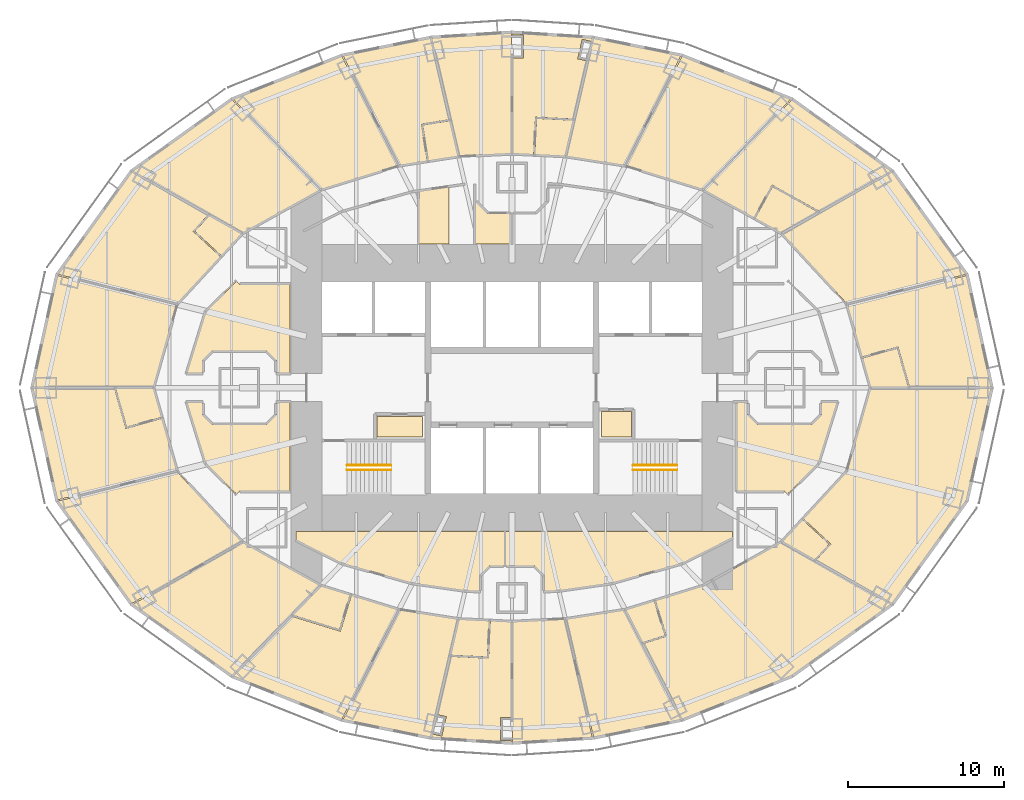
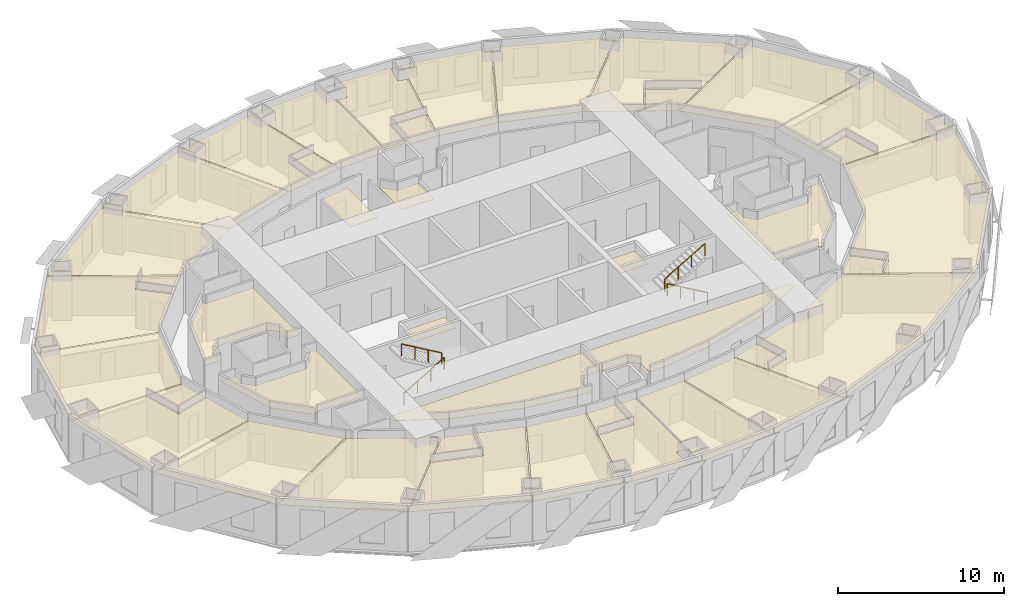
# One storey, part 15 of 15: 41 coverings, 4 railings.
"""IFC4 building model written with IfcOpenShell, lengths in metres."""

from ifc_helpers import new_model, si_unit, direction, frame, origin, origin_2d, place, context, subcontext, project, spatial, polyline, circle, outline, extrude, material, layer, layer_set, type_object, element, save


model = new_model("IFC4")

# Units and contexts
model_context = context("Model", 3, precision=1e-05, world=origin(), true_north=direction((0.0, 1.0)))
body_context = subcontext(model_context, "Body", "Model", "MODEL_VIEW")
ifc_project = project(units=[si_unit("LENGTHUNIT", "METRE"), si_unit("AREAUNIT", "SQUARE_METRE"), si_unit("VOLUMEUNIT", "CUBIC_METRE"), si_unit("PLANEANGLEUNIT", "RADIAN"), si_unit("MASSUNIT", "GRAM", prefix="KILO")], contexts=[model_context])

# Site, building, storey
site_placement = place(None, origin())
site = spatial("IfcSite", under=ifc_project, at=site_placement, CompositionType="ELEMENT")
building_placement = place(site_placement, origin())
building = spatial("IfcBuilding", under=site, at=building_placement, Name="Lantaw Convention Tower", CompositionType="ELEMENT")
storey_placement = place(building_placement, frame((0.0, 0.0, 98.199951171875)))
storey = spatial("IfcBuildingStorey", under=building, at=storey_placement, Name="L23", CompositionType="ELEMENT", Elevation=98.199951171875)

# Railings
ifc_material_1 = material(Name="Stainless steel", Category="steel")
railing_type = type_object("IfcRailingType", Name="Stair handrail", PredefinedType="HANDRAIL", material=ifc_material_1)
railing_1_placement = place(storey_placement, frame((-10.580078125, -5.280029296875, 0.16357421875)))
element("IfcRailing", 1, at=railing_1_placement, inside=storey, type_object=railing_type, Name="Stair handrail S1", PredefinedType="HANDRAIL", context=body_context, shape_type="SweptSolid", body=[
    extrude(circle(Radius=0.02392578125, at=origin_2d()), frame((0.0, 0.0, 0.8759765625), z_axis=(0.863360870873, 0.0, 0.504586966384), x_axis=(0.0, 1.0, 0.0)), (0.0, 0.0, 1.0), 3.2431640625),
    extrude(circle(Radius=0.02099609375, at=origin_2d()), origin(), (0.0, 0.0, 1.0), 0.851806640625),
    extrude(circle(Radius=0.02099609375, at=origin_2d()), frame((0.933349609375, 0.0, 0.54541015625)), (0.0, 0.0, 1.0), 0.851806640625),
    extrude(circle(Radius=0.02099609375, at=origin_2d()), frame((1.86669921875, 0.0, 1.091064453125)), (0.0, 0.0, 1.0), 0.851806640625),
    extrude(circle(Radius=0.02099609375, at=origin_2d()), frame((2.800048828125, 0.0, 1.636474609375)), (0.0, 0.0, 1.0), 0.851806640625),
])
for number, where, name in (
    (2, (-7.780029296875, -4.97998046875, 1.963623046875), "Stair handrail S1"),
    (3, (10.580078125, -5.280029296875, 0.16357421875), "Stair handrail S2"),
):
    element("IfcRailing", number, at=place(storey_placement, frame(where)), inside=storey, type_object=railing_type, Name=name, PredefinedType="HANDRAIL", context=body_context, shape_type="SweptSolid", body=[
        extrude(circle(Radius=0.02392578125, at=origin_2d()), frame((0.0, 0.0, 0.8759765625), z_axis=(-0.863360870873, 0.0, 0.504586966384), x_axis=(0.0, -1.0, 0.0)), (0.0, 0.0, 1.0), 3.2431640625),
        extrude(circle(Radius=0.02099609375, at=origin_2d()), origin(), (0.0, 0.0, 1.0), 0.851806640625),
        extrude(circle(Radius=0.02099609375, at=origin_2d()), frame((-0.933349609375, 0.0, 0.54541015625)), (0.0, 0.0, 1.0), 0.851806640625),
        extrude(circle(Radius=0.02099609375, at=origin_2d()), frame((-1.86669921875, 0.0, 1.091064453125)), (0.0, 0.0, 1.0), 0.851806640625),
        extrude(circle(Radius=0.02099609375, at=origin_2d()), frame((-2.800048828125, 0.0, 1.636474609375)), (0.0, 0.0, 1.0), 0.851806640625),
    ])
railing_2_placement = place(storey_placement, frame((7.780029296875, -4.97998046875, 1.963623046875)))
element("IfcRailing", 4, at=railing_2_placement, inside=storey, type_object=railing_type, Name="Stair handrail S2", PredefinedType="HANDRAIL", context=body_context, shape_type="SweptSolid", body=[
    extrude(circle(Radius=0.02392578125, at=origin_2d()), frame((0.0, 0.0, 0.8759765625), z_axis=(0.863360870873, 0.0, 0.504586966384), x_axis=(0.0, 1.0, 0.0)), (0.0, 0.0, 1.0), 3.2431640625),
    extrude(circle(Radius=0.02099609375, at=origin_2d()), origin(), (0.0, 0.0, 1.0), 0.851806640625),
    extrude(circle(Radius=0.02099609375, at=origin_2d()), frame((0.933349609375, 0.0, 0.54541015625)), (0.0, 0.0, 1.0), 0.851806640625),
    extrude(circle(Radius=0.02099609375, at=origin_2d()), frame((1.86669921875, 0.0, 1.091064453125)), (0.0, 0.0, 1.0), 0.851806640625),
    extrude(circle(Radius=0.02099609375, at=origin_2d()), frame((2.800048828125, 0.0, 1.636474609375)), (0.0, 0.0, 1.0), 0.851806640625),
])

# Coverings
ifc_material_2 = material(Name="Gypsum board on steel suspension grid", Category="steel")
ifc_layer = layer(ifc_material_2, 0.02001953125)
ifc_layer_set = layer_set([ifc_layer], Name="Suspended ceiling")
covering_type = type_object("IfcCoveringType", Name="Suspended ceiling", PredefinedType="CEILING", material=ifc_layer_set)
covering_1_placement = place(storey_placement, frame((0.0, 0.0, 2.85009765625)))
element("IfcCovering", 5, at=covering_1_placement, inside=storey, type_object=covering_type, Name="IT and comms room ceiling", PredefinedType="CEILING", context=body_context, shape_type="SweptSolid", body=[
    extrude(outline(polyline([(-8.659912109375, -3.159912109375), (-5.739990234375, -3.159912109375), (-5.739990234375, -1.840087890625), (-8.659912109375, -1.840087890625), (-8.659912109375, -3.159912109375)])), origin(), (0.0, 0.0, 1.0), 0.02001953125),
])
covering_2_placement = place(storey_placement, frame((0.0, 0.0, 2.85009765625)))
element("IfcCovering", 6, at=covering_2_placement, inside=storey, type_object=covering_type, Name="Staff WC ceiling", PredefinedType="CEILING", context=body_context, shape_type="SweptSolid", body=[
    extrude(outline(polyline([(5.739990234375, -3.159912109375), (7.659912109375, -3.159912109375), (7.659912109375, -1.5400390625), (5.739990234375, -1.5400390625), (5.739990234375, -3.159912109375)])), origin(), (0.0, 0.0, 1.0), 0.02001953125),
])
covering_3_placement = place(storey_placement, frame((0.0, 0.0, 2.85009765625)))
element("IfcCovering", 7, at=covering_3_placement, inside=storey, type_object=covering_type, Name="Accessible WC ceiling", PredefinedType="CEILING", context=body_context, shape_type="SweptSolid", body=[
    extrude(outline(polyline([(-2.360107421875, 9.239990234375), (-0.114990234375, 9.239990234375), (-0.114990234375, 11.175048828125), (-1.548828125, 11.175048828125), (-2.324951171875, 11.951171875), (-2.324951171875, 11.963134765625), (-2.360107421875, 11.998046875), (-2.360107421875, 9.239990234375)])), origin(), (0.0, 0.0, 1.0), 0.02001953125),
])
covering_4_placement = place(storey_placement, frame((0.0, 0.0, 2.85009765625)))
element("IfcCovering", 8, at=covering_4_placement, inside=storey, type_object=covering_type, Name="Housekeeping pantry ceiling", PredefinedType="CEILING", context=body_context, shape_type="SweptSolid", body=[
    extrude(outline(polyline([(-4.0400390625, 12.87939453125), (-5.9599609375, 12.60595703125), (-5.9599609375, 9.239990234375), (-4.0400390625, 9.239990234375), (-4.0400390625, 12.87939453125)])), origin(), (0.0, 0.0, 1.0), 0.02001953125),
])
covering_5_placement = place(storey_placement, frame((0.0, 0.0, 2.85009765625)))
element("IfcCovering", 9, at=covering_5_placement, inside=storey, type_object=covering_type, Name="Housekeeping room ceiling", PredefinedType="CEILING", context=body_context, shape_type="SweptSolid", body=[
    extrude(outline(polyline([(-20.8671875, 0.93994140625), (-19.864990234375, 0.93994140625), (-19.864990234375, 1.7412109375), (-19.2412109375, 2.364990234375), (-15.7587890625, 2.364990234375), (-15.135009765625, 1.7412109375), (-15.135009765625, 0.93994140625), (-14.239990234375, 0.93994140625), (-14.239990234375, 6.635009765625), (-17.4912109375, 6.635009765625), (-17.68310546875, 6.8271484375), (-19.6455078125, 4.885498046875), (-20.8671875, 0.93994140625)])), origin(), (0.0, 0.0, 1.0), 0.02001953125),
])
covering_6_placement = place(storey_placement, frame((0.0, 0.0, 2.85009765625)))
element("IfcCovering", 10, at=covering_6_placement, inside=storey, type_object=covering_type, Name="Staff locker room ceiling", PredefinedType="CEILING", context=body_context, shape_type="SweptSolid", body=[
    extrude(outline(polyline([(-10.90966796875, -11.275146484375), (-6.402587890625, -12.542724609375), (-3.0126953125, -13.02587890625), (-2.06494140625, -13.068115234375), (-2.06494140625, -12.058837890625), (-1.441162109375, -11.43505859375), (-0.489990234375, -11.43505859375), (-0.489990234375, -9.239990234375), (-13.860107421875, -9.239990234375), (-13.860107421875, -9.77490234375), (-10.90966796875, -11.275146484375)])), origin(), (0.0, 0.0, 1.0), 0.02001953125),
])
covering_7_placement = place(storey_placement, frame((0.0, 0.0, 2.85009765625)))
element("IfcCovering", 11, at=covering_7_placement, inside=storey, type_object=covering_type, Name="Staff room ceiling", PredefinedType="CEILING", context=body_context, shape_type="SweptSolid", body=[
    extrude(outline(polyline([(-20.8671875, -0.93994140625), (-19.6455078125, -4.885498046875), (-17.68310546875, -6.8271484375), (-17.4912109375, -6.635009765625), (-14.239990234375, -6.635009765625), (-14.239990234375, -0.93994140625), (-15.135009765625, -0.93994140625), (-15.135009765625, -1.7412109375), (-15.7587890625, -2.364990234375), (-19.2412109375, -2.364990234375), (-19.864990234375, -1.7412109375), (-19.864990234375, -0.93994140625), (-20.8671875, -0.93994140625)])), origin(), (0.0, 0.0, 1.0), 0.02001953125),
])
covering_8_placement = place(storey_placement, frame((0.0, 0.0, 2.85009765625)))
element("IfcCovering", 12, at=covering_8_placement, inside=storey, type_object=covering_type, Name="Guest ice and vending room ceiling", PredefinedType="CEILING", context=body_context, shape_type="SweptSolid", body=[
    extrude(outline(polyline([(2.06494140625, -13.068115234375), (3.0126953125, -13.02587890625), (6.402587890625, -12.542724609375), (10.90966796875, -11.275146484375), (14.159912109375, -9.622314453125), (14.159912109375, -9.239990234375), (-0.409912109375, -9.239990234375), (-0.409912109375, -11.43505859375), (1.441162109375, -11.43505859375), (2.06494140625, -12.058837890625), (2.06494140625, -13.068115234375)])), origin(), (0.0, 0.0, 1.0), 0.02001953125),
])
covering_9_placement = place(storey_placement, frame((0.0, 0.0, 2.85009765625)))
element("IfcCovering", 13, at=covering_9_placement, inside=storey, type_object=covering_type, Name="Room service pantry ceiling", PredefinedType="CEILING", context=body_context, shape_type="SweptSolid", body=[
    extrude(outline(polyline([(19.6455078125, -4.885498046875), (20.8671875, -0.93994140625), (19.864990234375, -0.93994140625), (19.864990234375, -1.7412109375), (19.2412109375, -2.364990234375), (15.7587890625, -2.364990234375), (15.135009765625, -1.7412109375), (15.135009765625, -0.93994140625), (14.43994140625, -0.93994140625), (14.43994140625, -6.635009765625), (17.4912109375, -6.635009765625), (17.68310546875, -6.8271484375), (19.6455078125, -4.885498046875)])), origin(), (0.0, 0.0, 1.0), 0.02001953125),
])
covering_10_placement = place(storey_placement, frame((0.0, 0.0, 2.85009765625)))
element("IfcCovering", 14, at=covering_10_placement, inside=storey, type_object=covering_type, Name="Suite bathroom ceiling", PredefinedType="CEILING", context=body_context, shape_type="SweptSolid", body=[
    extrude(outline(polyline([(23.0302734375, 0.0400390625), (25.44140625, 0.0400390625), (24.73681640625, 2.52880859375), (22.504638671875, 1.896728515625), (23.0302734375, 0.0400390625)])), origin(), (0.0, 0.0, 1.0), 0.02001953125),
])
covering_11_placement = place(storey_placement, frame((0.0, 0.0, 2.85009765625)))
element("IfcCovering", 15, at=covering_11_placement, inside=storey, type_object=covering_type, Name="Suite bedroom ceiling", PredefinedType="CEILING", context=body_context, shape_type="SweptSolid", body=[
    extrude(outline(polyline([(21.533447265625, 5.327392578125), (22.48291015625, 1.9736328125), (24.7919921875, 2.62744140625), (25.524658203125, 0.0400390625), (30.77099609375, 0.0400390625), (29.191650390625, 7.205078125), (21.533447265625, 5.327392578125)])), origin(), (0.0, 0.0, 1.0), 0.02001953125),
])
covering_12_placement = place(storey_placement, frame((0.0, 0.0, 2.85009765625)))
element("IfcCovering", 16, at=covering_12_placement, inside=storey, type_object=covering_type, Name="Suite living room ceiling", PredefinedType="CEILING", context=body_context, shape_type="SweptSolid", body=[
    extrude(outline(polyline([(21.496826171875, 5.40087890625), (29.155029296875, 7.2783203125), (24.423095703125, 13.8564453125), (17.36279296875, 9.875244140625), (21.496826171875, 5.40087890625)])), origin(), (0.0, 0.0, 1.0), 0.02001953125),
])
covering_13_placement = place(storey_placement, frame((0.0, 0.0, 2.85009765625)))
element("IfcCovering", 17, at=covering_13_placement, inside=storey, type_object=covering_type, Name="Suite bathroom ceiling", PredefinedType="CEILING", context=body_context, shape_type="SweptSolid", body=[
    extrude(outline(polyline([(17.298828125, 9.93115234375), (19.65234375, 11.276123046875), (16.734619140625, 12.900634765625), (15.60595703125, 10.87353515625), (17.298828125, 9.93115234375)])), origin(), (0.0, 0.0, 1.0), 0.02001953125),
])
covering_14_placement = place(storey_placement, frame((0.0, 0.0, 2.85009765625)))
element("IfcCovering", 18, at=covering_14_placement, inside=storey, type_object=covering_type, Name="Suite bedroom ceiling", PredefinedType="CEILING", context=body_context, shape_type="SweptSolid", body=[
    extrude(outline(polyline([(12.322265625, 12.701904296875), (15.5361328125, 10.91259765625), (16.70361328125, 13.00927734375), (19.75, 11.313232421875), (24.3603515625, 13.912841796875), (17.97509765625, 18.4892578125), (12.322265625, 12.701904296875)])), origin(), (0.0, 0.0, 1.0), 0.02001953125),
])
covering_15_placement = place(storey_placement, frame((0.0, 0.0, 2.85009765625)))
element("IfcCovering", 19, at=covering_15_placement, inside=storey, type_object=covering_type, Name="Suite living room ceiling", PredefinedType="CEILING", context=body_context, shape_type="SweptSolid", body=[
    extrude(outline(polyline([(12.24560546875, 12.738037109375), (17.89990234375, 18.526611328125), (10.930908203125, 21.294921875), (7.310302734375, 14.2587890625), (12.24560546875, 12.738037109375)])), origin(), (0.0, 0.0, 1.0), 0.02001953125),
])
covering_16_placement = place(storey_placement, frame((0.0, 0.0, 2.85009765625)))
element("IfcCovering", 20, at=covering_16_placement, inside=storey, type_object=covering_type, Name="Suite kitchenette and dining room ceiling", PredefinedType="CEILING", context=body_context, shape_type="SweptSolid", body=[
    extrude(outline(polyline([(7.23046875, 14.278564453125), (10.85205078125, 21.31689453125), (5.240966796875, 22.448974609375), (3.47314453125, 14.86572265625), (7.23046875, 14.278564453125)])), origin(), (0.0, 0.0, 1.0), 0.02001953125),
])
covering_17_placement = place(storey_placement, frame((0.0, 0.0, 2.85009765625)))
element("IfcCovering", 21, at=covering_17_placement, inside=storey, type_object=covering_type, Name="Suite bathroom ceiling", PredefinedType="CEILING", context=body_context, shape_type="SweptSolid", body=[
    extrude(outline(polyline([(3.39306640625, 14.87451171875), (3.92333984375, 17.17138671875), (1.581787109375, 17.28564453125), (1.46875, 14.96826171875), (3.39306640625, 14.87451171875)])), origin(), (0.0, 0.0, 1.0), 0.02001953125),
])
covering_18_placement = place(storey_placement, frame((0.0, 0.0, 2.85009765625)))
element("IfcCovering", 22, at=covering_18_placement, inside=storey, type_object=covering_type, Name="Suite bedroom ceiling", PredefinedType="CEILING", context=body_context, shape_type="SweptSolid", body=[
    extrude(outline(polyline([(0.0400390625, 21.159912109375), (0.0400390625, 15.0380859375), (1.388916015625, 14.97216796875), (1.505859375, 17.369384765625), (3.94677734375, 17.250244140625), (4.81640625, 20.98046875), (4.21875, 21.118408203125), (4.506591796875, 22.365478515625), (5.10693359375, 22.22705078125), (5.1611328125, 22.458984375), (0.0400390625, 22.781982421875), (0.0400390625, 22.639892578125), (0.739990234375, 22.639892578125), (0.739990234375, 21.159912109375), (0.0400390625, 21.159912109375)])), origin(), (0.0, 0.0, 1.0), 0.02001953125),
])
covering_19_placement = place(storey_placement, frame((0.0, 0.0, 2.85009765625)))
element("IfcCovering", 23, at=covering_19_placement, inside=storey, type_object=covering_type, Name="Suite living room ceiling", PredefinedType="CEILING", context=body_context, shape_type="SweptSolid", body=[
    extrude(outline(polyline([(-0.0400390625, 15.0380859375), (-0.0400390625, 22.781982421875), (-5.1611328125, 22.458984375), (-3.39306640625, 14.87451171875), (-0.0400390625, 15.0380859375)])), origin(), (0.0, 0.0, 1.0), 0.02001953125),
])
covering_20_placement = place(storey_placement, frame((0.0, 0.0, 2.85009765625)))
element("IfcCovering", 24, at=covering_20_placement, inside=storey, type_object=covering_type, Name="Suite bathroom ceiling", PredefinedType="CEILING", context=body_context, shape_type="SweptSolid", body=[
    extrude(outline(polyline([(-3.47314453125, 14.86572265625), (-3.996337890625, 17.132080078125), (-5.725341796875, 16.862060546875), (-5.3671875, 14.56982421875), (-3.47314453125, 14.86572265625)])), origin(), (0.0, 0.0, 1.0), 0.02001953125),
])
covering_21_placement = place(storey_placement, frame((0.0, 0.0, 2.85009765625)))
element("IfcCovering", 25, at=covering_21_placement, inside=storey, type_object=covering_type, Name="Suite bedroom ceiling", PredefinedType="CEILING", context=body_context, shape_type="SweptSolid", body=[
    extrude(outline(polyline([(-7.23046875, 14.278564453125), (-5.446044921875, 14.557373046875), (-5.816650390625, 16.9287109375), (-4.01953125, 17.20947265625), (-5.240966796875, 22.448974609375), (-10.85205078125, 21.31689453125), (-7.23046875, 14.278564453125)])), origin(), (0.0, 0.0, 1.0), 0.02001953125),
])
covering_22_placement = place(storey_placement, frame((0.0, 0.0, 2.85009765625)))
element("IfcCovering", 26, at=covering_22_placement, inside=storey, type_object=covering_type, Name="Suite living room ceiling", PredefinedType="CEILING", context=body_context, shape_type="SweptSolid", body=[
    extrude(outline(polyline([(-7.310302734375, 14.2587890625), (-10.930908203125, 21.294921875), (-17.89990234375, 18.526611328125), (-12.24560546875, 12.738037109375), (-7.310302734375, 14.2587890625)])), origin(), (0.0, 0.0, 1.0), 0.02001953125),
])
covering_23_placement = place(storey_placement, frame((0.0, 0.0, 2.85009765625)))
element("IfcCovering", 27, at=covering_23_placement, inside=storey, type_object=covering_type, Name="Suite kitchenette and dining room ceiling", PredefinedType="CEILING", context=body_context, shape_type="SweptSolid", body=[
    extrude(outline(polyline([(-12.322265625, 12.701904296875), (-17.97509765625, 18.4892578125), (-24.3603515625, 13.912841796875), (-17.298828125, 9.930908203125), (-12.322265625, 12.701904296875)])), origin(), (0.0, 0.0, 1.0), 0.02001953125),
])
covering_24_placement = place(storey_placement, frame((0.0, 0.0, 2.85009765625)))
element("IfcCovering", 28, at=covering_24_placement, inside=storey, type_object=covering_type, Name="Suite bathroom ceiling", PredefinedType="CEILING", context=body_context, shape_type="SweptSolid", body=[
    extrude(outline(polyline([(-17.362548828125, 9.87548828125), (-19.4296875, 11.056640625), (-20.362548828125, 10.047119140625), (-18.658447265625, 8.47265625), (-17.362548828125, 9.87548828125)])), origin(), (0.0, 0.0, 1.0), 0.02001953125),
])
covering_25_placement = place(storey_placement, frame((0.0, 0.0, 2.85009765625)))
element("IfcCovering", 29, at=covering_25_placement, inside=storey, type_object=covering_type, Name="Suite bedroom ceiling", PredefinedType="CEILING", context=body_context, shape_type="SweptSolid", body=[
    extrude(outline(polyline([(-21.496826171875, 5.40087890625), (-18.712890625, 8.4140625), (-20.4755859375, 10.042724609375), (-19.510986328125, 11.086669921875), (-24.423095703125, 13.8564453125), (-29.155029296875, 7.2783203125), (-21.496826171875, 5.40087890625)])), origin(), (0.0, 0.0, 1.0), 0.02001953125),
])
covering_26_placement = place(storey_placement, frame((0.0, 0.0, 2.85009765625)))
element("IfcCovering", 30, at=covering_26_placement, inside=storey, type_object=covering_type, Name="Suite living room ceiling", PredefinedType="CEILING", context=body_context, shape_type="SweptSolid", body=[
    extrude(outline(polyline([(-21.533447265625, 5.327392578125), (-29.191650390625, 7.205078125), (-30.77099609375, 0.0400390625), (-23.0302734375, 0.0400390625), (-21.533447265625, 5.327392578125)])), origin(), (0.0, 0.0, 1.0), 0.02001953125),
])
covering_27_placement = place(storey_placement, frame((0.0, 0.0, 2.85009765625)))
element("IfcCovering", 31, at=covering_27_placement, inside=storey, type_object=covering_type, Name="Suite bathroom ceiling", PredefinedType="CEILING", context=body_context, shape_type="SweptSolid", body=[
    extrude(outline(polyline([(-23.0302734375, -0.0400390625), (-25.44140625, -0.0400390625), (-24.73681640625, -2.52880859375), (-22.504638671875, -1.896728515625), (-23.0302734375, -0.0400390625)])), origin(), (0.0, 0.0, 1.0), 0.02001953125),
])
covering_28_placement = place(storey_placement, frame((0.0, 0.0, 2.85009765625)))
element("IfcCovering", 32, at=covering_28_placement, inside=storey, type_object=covering_type, Name="Suite bedroom ceiling", PredefinedType="CEILING", context=body_context, shape_type="SweptSolid", body=[
    extrude(outline(polyline([(-22.48291015625, -1.9736328125), (-24.7919921875, -2.62744140625), (-25.524658203125, -0.0400390625), (-30.77099609375, -0.0400390625), (-29.191650390625, -7.205078125), (-21.533447265625, -5.327392578125), (-22.48291015625, -1.9736328125)])), origin(), (0.0, 0.0, 1.0), 0.02001953125),
])
covering_29_placement = place(storey_placement, frame((0.0, 0.0, 2.85009765625)))
element("IfcCovering", 33, at=covering_29_placement, inside=storey, type_object=covering_type, Name="Suite living room ceiling", PredefinedType="CEILING", context=body_context, shape_type="SweptSolid", body=[
    extrude(outline(polyline([(-21.496826171875, -5.40087890625), (-29.155029296875, -7.2783203125), (-24.423095703125, -13.8564453125), (-17.36279296875, -9.875244140625), (-21.496826171875, -5.40087890625)])), origin(), (0.0, 0.0, 1.0), 0.02001953125),
])
covering_30_placement = place(storey_placement, frame((0.0, 0.0, 2.85009765625)))
element("IfcCovering", 34, at=covering_30_placement, inside=storey, type_object=covering_type, Name="Suite kitchenette and dining room ceiling", PredefinedType="CEILING", context=body_context, shape_type="SweptSolid", body=[
    extrude(outline(polyline([(-17.298828125, -9.930908203125), (-24.3603515625, -13.912841796875), (-17.97509765625, -18.4892578125), (-12.322265625, -12.701904296875), (-17.298828125, -9.930908203125)])), origin(), (0.0, 0.0, 1.0), 0.02001953125),
])
covering_31_placement = place(storey_placement, frame((0.0, 0.0, 2.85009765625)))
element("IfcCovering", 35, at=covering_31_placement, inside=storey, type_object=covering_type, Name="Suite bathroom ceiling", PredefinedType="CEILING", context=body_context, shape_type="SweptSolid", body=[
    extrude(outline(polyline([(-12.245361328125, -12.738037109375), (-14.052001953125, -14.60888671875), (-11.0791015625, -15.525146484375), (-10.395751953125, -13.30810546875), (-12.245361328125, -12.738037109375)])), origin(), (0.0, 0.0, 1.0), 0.02001953125),
])
covering_32_placement = place(storey_placement, frame((0.0, 0.0, 2.85009765625)))
element("IfcCovering", 36, at=covering_32_placement, inside=storey, type_object=covering_type, Name="Suite bedroom ceiling", PredefinedType="CEILING", context=body_context, shape_type="SweptSolid", body=[
    extrude(outline(polyline([(-14.140380859375, -14.677978515625), (-17.89990234375, -18.526611328125), (-10.930908203125, -21.294921875), (-7.310302734375, -14.2587890625), (-10.307861328125, -13.3349609375), (-11.01806640625, -15.64013671875), (-14.140380859375, -14.677978515625)])), origin(), (0.0, 0.0, 1.0), 0.02001953125),
])
covering_33_placement = place(storey_placement, frame((0.0, 0.0, 2.85009765625)))
element("IfcCovering", 37, at=covering_33_placement, inside=storey, type_object=covering_type, Name="Suite living room ceiling", PredefinedType="CEILING", context=body_context, shape_type="SweptSolid", body=[
    extrude(outline(polyline([(-7.23046875, -14.278564453125), (-10.85205078125, -21.31689453125), (-5.240966796875, -22.448974609375), (-3.47314453125, -14.86572265625), (-7.23046875, -14.278564453125)])), origin(), (0.0, 0.0, 1.0), 0.02001953125),
])
covering_34_placement = place(storey_placement, frame((0.0, 0.0, 2.85009765625)))
element("IfcCovering", 38, at=covering_34_placement, inside=storey, type_object=covering_type, Name="Suite bathroom ceiling", PredefinedType="CEILING", context=body_context, shape_type="SweptSolid", body=[
    extrude(outline(polyline([(-3.39306640625, -14.87451171875), (-3.92333984375, -17.17138671875), (-1.581787109375, -17.28564453125), (-1.46875, -14.96826171875), (-3.39306640625, -14.87451171875)])), origin(), (0.0, 0.0, 1.0), 0.02001953125),
])
covering_35_placement = place(storey_placement, frame((0.0, 0.0, 2.85009765625)))
element("IfcCovering", 39, at=covering_35_placement, inside=storey, type_object=covering_type, Name="Suite bedroom ceiling", PredefinedType="CEILING", context=body_context, shape_type="SweptSolid", body=[
    extrude(outline(polyline([(-3.94677734375, -17.250244140625), (-4.81640625, -20.98046875), (-4.21875, -21.118408203125), (-4.506591796875, -22.365478515625), (-5.10693359375, -22.22705078125), (-5.1611328125, -22.458984375), (-0.0400390625, -22.781982421875), (-0.0400390625, -22.639892578125), (-0.739990234375, -22.639892578125), (-0.739990234375, -21.159912109375), (-0.0400390625, -21.159912109375), (-0.0400390625, -15.0380859375), (-1.388916015625, -14.97216796875), (-1.505859375, -17.369384765625), (-3.94677734375, -17.250244140625)])), origin(), (0.0, 0.0, 1.0), 0.02001953125),
])
covering_36_placement = place(storey_placement, frame((0.0, 0.0, 2.85009765625)))
element("IfcCovering", 40, at=covering_36_placement, inside=storey, type_object=covering_type, Name="Suite living room ceiling", PredefinedType="CEILING", context=body_context, shape_type="SweptSolid", body=[
    extrude(outline(polyline([(0.0400390625, -15.0380859375), (0.0400390625, -22.781982421875), (5.1611328125, -22.458984375), (3.39306640625, -14.87451171875), (0.0400390625, -15.0380859375)])), origin(), (0.0, 0.0, 1.0), 0.02001953125),
])
covering_37_placement = place(storey_placement, frame((0.0, 0.0, 2.85009765625)))
element("IfcCovering", 41, at=covering_37_placement, inside=storey, type_object=covering_type, Name="Suite kitchenette and dining room ceiling", PredefinedType="CEILING", context=body_context, shape_type="SweptSolid", body=[
    extrude(outline(polyline([(3.47314453125, -14.86572265625), (5.240966796875, -22.448974609375), (10.85205078125, -21.31689453125), (7.23046875, -14.278564453125), (3.47314453125, -14.86572265625)])), origin(), (0.0, 0.0, 1.0), 0.02001953125),
])
covering_38_placement = place(storey_placement, frame((0.0, 0.0, 2.85009765625)))
element("IfcCovering", 42, at=covering_38_placement, inside=storey, type_object=covering_type, Name="Junior suite bathroom ceiling", PredefinedType="CEILING", context=body_context, shape_type="SweptSolid", body=[
    extrude(outline(polyline([(7.31005859375, -14.2587890625), (8.379150390625, -16.357177734375), (9.821044921875, -15.912841796875), (9.1376953125, -13.695556640625), (7.31005859375, -14.2587890625)])), origin(), (0.0, 0.0, 1.0), 0.02001953125),
])
covering_39_placement = place(storey_placement, frame((0.0, 0.0, 2.85009765625)))
element("IfcCovering", 43, at=covering_39_placement, inside=storey, type_object=covering_type, Name="Junior suite ceiling", PredefinedType="CEILING", context=body_context, shape_type="SweptSolid", body=[
    extrude(outline(polyline([(12.27294921875, -12.7294921875), (9.214111328125, -13.672119140625), (9.921142578125, -15.965576171875), (8.42578125, -16.426513671875), (10.930908203125, -21.294921875), (17.951171875, -18.50634765625), (24.3603515625, -13.912841796875), (17.298828125, -9.930908203125), (12.27294921875, -12.7294921875)])), origin(), (0.0, 0.0, 1.0), 0.02001953125),
])
covering_40_placement = place(storey_placement, frame((0.0, 0.0, 2.85009765625)))
element("IfcCovering", 44, at=covering_40_placement, inside=storey, type_object=covering_type, Name="Junior suite bathroom ceiling", PredefinedType="CEILING", context=body_context, shape_type="SweptSolid", body=[
    extrude(outline(polyline([(17.362548828125, -9.87548828125), (19.4296875, -11.056640625), (20.362548828125, -10.047119140625), (18.658447265625, -8.47265625), (17.362548828125, -9.87548828125)])), origin(), (0.0, 0.0, 1.0), 0.02001953125),
])
covering_41_placement = place(storey_placement, frame((0.0, 0.0, 2.85009765625)))
element("IfcCovering", 45, at=covering_41_placement, inside=storey, type_object=covering_type, Name="Junior suite ceiling", PredefinedType="CEILING", context=body_context, shape_type="SweptSolid", body=[
    extrude(outline(polyline([(21.51953125, -5.37646484375), (18.712890625, -8.4140625), (20.4755859375, -10.042724609375), (19.510986328125, -11.086669921875), (24.423095703125, -13.8564453125), (29.184814453125, -7.237060546875), (30.77099609375, -0.0400390625), (23.0302734375, -0.0400390625), (21.51953125, -5.37646484375)])), origin(), (0.0, 0.0, 1.0), 0.02001953125),
])

save(model, "model.ifc")
